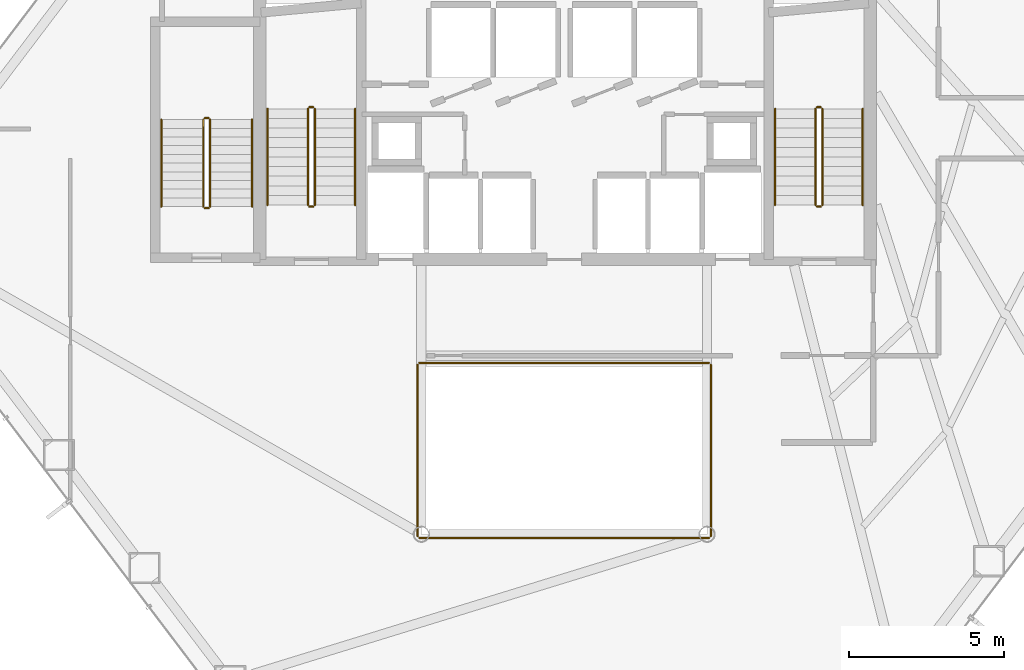
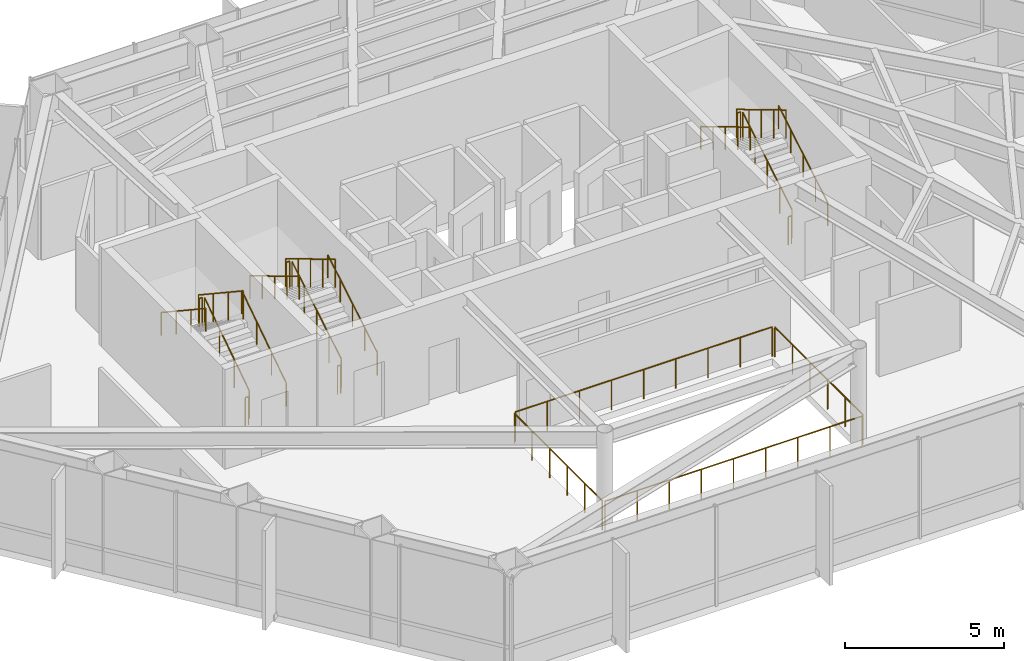
# One storey, part 25 of 25: 22 railings.
"""IFC4 building model written with IfcOpenShell, lengths in metres."""

import ifcopenshell
import ifcopenshell.guid

model = None  # the IFC model being written
_history = None  # IfcOwnerHistory: only IFC2X3 demands one
_inside = {}  # id of a spatial element -> (the spatial element, [elements in it])
_under = {}  # id of a project, library or spatial element -> (it, [spatial elements below it])
_declared = {}  # id of a project -> (the project, [libraries it declares])
_typed = {}  # id of a type object -> (the type object, [elements of that type])
_made_of = {}  # id of a material, layer set ... -> (it, [elements and type objects made of it])


def new_model(schema):
    """Start an empty IFC model of exactly this schema.

    Asked for "IFC4X3", IfcOpenShell would pick the latest addendum, in which some entities
    have other attributes; the version numbers below select the first issue.
    IFC2X3 requires an IfcOwnerHistory on every rooted entity: one is made here for all.
    """
    global model, _history
    if schema == "IFC4X3":
        model = ifcopenshell.file(schema_version=(4, 3, 0, 0))
    else:
        model = ifcopenshell.file(schema=schema)
    _inside.clear()
    _under.clear()
    _declared.clear()
    _typed.clear()
    _made_of.clear()
    _history = None
    if model.schema == "IFC2X3":
        org = make("IfcOrganization", Name="unknown")
        user = make(
            "IfcPersonAndOrganization",
            ThePerson=make("IfcPerson", FamilyName="unknown"),
            TheOrganization=org,
        )
        app = make(
            "IfcApplication",
            ApplicationDeveloper=org,
            Version="unknown",
            ApplicationFullName="unknown",
            ApplicationIdentifier="unknown",
        )
        _history = make(
            "IfcOwnerHistory",
            OwningUser=user,
            OwningApplication=app,
            ChangeAction="ADDED",
            CreationDate=0,
        )
    return model


def make(cls, **values):
    """One entity of the class cls with the attributes given. An attribute that is None is left unset."""
    return model.create_entity(
        cls, **{name: value for name, value in values.items() if value is not None}
    )


def rooted(cls, **values):
    """An entity with a GlobalId (a new one), such as an element, a storey or a relation."""
    return make(cls, GlobalId=ifcopenshell.guid.new(), OwnerHistory=_history, **values)


def si_unit(unit_type, name, prefix=None):
    """IfcSIUnit, for example si_unit("LENGTHUNIT", "METRE", prefix="MILLI")."""
    return make("IfcSIUnit", UnitType=unit_type, Prefix=prefix, Name=name)


def assignment(units):
    """IfcUnitAssignment: the units of a project."""
    return None if units is None else make("IfcUnitAssignment", Units=units)


def point(xyz):
    """IfcCartesianPoint."""
    return None if xyz is None else make("IfcCartesianPoint", Coordinates=xyz)


def direction(xyz):
    """IfcDirection."""
    return None if xyz is None else make("IfcDirection", DirectionRatios=xyz)


def frame(location, z_axis=None, x_axis=None):
    """IfcAxis2Placement3D, a coordinate frame: its origin and axes. An axis left out is left unset."""
    return make(
        "IfcAxis2Placement3D",
        Location=point(location),
        Axis=direction(z_axis),
        RefDirection=direction(x_axis),
    )


def frame_2d(location, x_axis=None):
    """IfcAxis2Placement2D, a coordinate frame in the plane: its origin and x axis."""
    return make(
        "IfcAxis2Placement2D", Location=point(location), RefDirection=direction(x_axis)
    )


def origin():
    """The frame at (0, 0, 0) with its axes left unset."""
    return frame((0.0, 0.0, 0.0))


def origin_2d():
    """The frame at (0, 0) in the plane with its x axis left unset."""
    return frame_2d((0.0, 0.0))


def place(relative_to, where):
    """IfcLocalPlacement: puts the frame where relative to a parent placement (None: the world)."""
    return make(
        "IfcLocalPlacement", PlacementRelTo=relative_to, RelativePlacement=where
    )


def context(
    kind, dimensions, precision=None, world=None, true_north=None, identifier=None
):
    """IfcGeometricRepresentationContext, for example the 3D "Model" context."""
    return make(
        "IfcGeometricRepresentationContext",
        ContextIdentifier=identifier,
        ContextType=kind,
        CoordinateSpaceDimension=dimensions,
        Precision=precision,
        WorldCoordinateSystem=world,
        TrueNorth=true_north,
    )


def subcontext(parent, identifier, kind, view, scale=None):
    """IfcGeometricRepresentationSubContext, for example "Body" below "Model"."""
    return make(
        "IfcGeometricRepresentationSubContext",
        ContextIdentifier=identifier,
        ContextType=kind,
        ParentContext=parent,
        TargetScale=scale,
        TargetView=view,
    )


def project(units=None, contexts=None):
    """IfcProject with its units and contexts."""
    return rooted(
        "IfcProject",
        Name="project",
        RepresentationContexts=contexts,
        UnitsInContext=assignment(units),
    )


def spatial(cls, under=None, at=None, **own):
    """A site, building, storey or space (cls), placed at a placement, below another one or the project."""
    s = rooted(cls, ObjectPlacement=at, **own)
    if under is not None:
        _under.setdefault(under.id(), (under, []))[1].append(s)
    return s


def profile(cls, at=None, kind="AREA", **sizes):
    """A parametric profile (cls). Its sizes go by their IFC names, for example OverallWidth=200.0."""
    return make(cls, ProfileType=kind, Position=at, **sizes)


def circle(**sizes):
    """IfcCircleProfileDef."""
    return profile("IfcCircleProfileDef", **sizes)


def extrude(swept, where, along, depth):
    """IfcExtrudedAreaSolid: the profile swept, set in the frame where, extruded along a direction by depth."""
    return make(
        "IfcExtrudedAreaSolid",
        SweptArea=swept,
        Position=where,
        ExtrudedDirection=direction(along),
        Depth=depth,
    )


def shape(context_of_items, identifier, shape_type, items):
    """IfcShapeRepresentation: the items that make up one representation, for example the "Body"."""
    return make(
        "IfcShapeRepresentation",
        ContextOfItems=context_of_items,
        RepresentationIdentifier=identifier,
        RepresentationType=shape_type,
        Items=items,
    )


def material(Name=None, Category=None):
    """IfcMaterial."""
    return make("IfcMaterial", Name=Name, Category=Category)


def made_of(thing, what):
    """Note that an element or type object is made of a material, layer set ...; save() writes the relation."""
    if what is not None:
        _made_of.setdefault(what.id(), (what, []))[1].append(thing)
    return thing


def type_object(cls, material=None, **own):
    """A type object (cls), such as IfcWallType, which elements share."""
    return made_of(rooted(cls, **own), material)


def element(
    cls,
    number,
    at=None,
    inside=None,
    cuts=None,
    type_object=None,
    material=None,
    context=None,
    identifier="Body",
    shape_type=None,
    held_by="IfcProductDefinitionShape",
    body=None,
    shapes=None,
    **own,
):
    """One element of the class cls, such as IfcWall. Its Tag is "e" and its number.

    at: its placement. inside: the storey or other place that contains it. cuts: it is an
    opening in that element (IfcRelVoidsElement). A single representation is given by context,
    identifier, shape_type and body (its items); several are given by shapes. held_by: the class
    of the entity that holds the representations. save() writes the other relations.
    """
    e = rooted(cls, Tag="e%d" % number, ObjectPlacement=at, **own)
    if body is not None:
        shapes = [shape(context, identifier, shape_type, body)]
    if shapes is not None:
        e.Representation = make(held_by, Representations=shapes)
    if inside is not None:
        _inside.setdefault(inside.id(), (inside, []))[1].append(e)
    if cuts is not None:
        rooted(
            "IfcRelVoidsElement", RelatingBuildingElement=cuts, RelatedOpeningElement=e
        )
    if type_object is not None:
        _typed.setdefault(type_object.id(), (type_object, []))[1].append(e)
    return made_of(e, material)


def aggregate(whole, parts):
    """IfcRelAggregates: a whole, such as a stair, and the parts it consists of."""
    return rooted("IfcRelAggregates", RelatingObject=whole, RelatedObjects=parts)


def save(model, path):
    """Write the relations noted so far, then the file.

    IfcRelAggregates (storeys below a building ...), IfcRelContainedInSpatialStructure (elements
    in a storey), IfcRelDefinesByType, IfcRelAssociatesMaterial and IfcRelDeclares: one each for
    every whole, place, type object, material and project.
    """
    for whole, parts in _under.values():
        aggregate(whole, parts)
    for where, things in _inside.values():
        rooted(
            "IfcRelContainedInSpatialStructure",
            RelatedElements=things,
            RelatingStructure=where,
        )
    for kind, things in _typed.values():
        rooted("IfcRelDefinesByType", RelatedObjects=things, RelatingType=kind)
    for what, things in _made_of.values():
        rooted("IfcRelAssociatesMaterial", RelatedObjects=things, RelatingMaterial=what)
    for by, libraries in _declared.values():
        rooted("IfcRelDeclares", RelatingContext=by, RelatedDefinitions=libraries)
    model.write(path)


model = new_model("IFC4")

# Units and contexts
model_context = context("Model", 3, precision=1e-05, world=origin(), true_north=direction((0.0, 1.0)))
body_context = subcontext(model_context, "Body", "Model", "MODEL_VIEW")
ifc_project = project(units=[si_unit("LENGTHUNIT", "METRE"), si_unit("AREAUNIT", "SQUARE_METRE"), si_unit("VOLUMEUNIT", "CUBIC_METRE"), si_unit("PLANEANGLEUNIT", "RADIAN"), si_unit("MASSUNIT", "GRAM", prefix="KILO")], contexts=[model_context])

# Site, building, storey
site_placement = place(None, origin())
site = spatial("IfcSite", under=ifc_project, at=site_placement, CompositionType="ELEMENT")
building_placement = place(site_placement, origin())
building = spatial("IfcBuilding", under=site, at=building_placement, Name="Zarrinselat Tower", CompositionType="ELEMENT")
storey_placement = place(building_placement, frame((0.0, 0.0, 43.860107421875)))
storey = spatial("IfcBuildingStorey", under=building, at=storey_placement, Name="L10", CompositionType="ELEMENT", Elevation=43.860107421875)

# Railings
ifc_material_1 = material(Name="Double Low-E Laminated Solar Glass", Category="glass")
railing_type_1 = type_object("IfcRailingType", Name="RLG-ATRIUM-BAL", PredefinedType="BALUSTRADE", material=ifc_material_1)
railing_1_placement = place(storey_placement, frame((33.739990234375, 24.280029296875, 0.0)))
element("IfcRailing", 1, at=railing_1_placement, inside=storey, type_object=railing_type_1, Name="L10 Atrium Void Glass Balustrade S", PredefinedType="BALUSTRADE", context=body_context, shape_type="SweptSolid", body=[
    extrude(circle(Radius=0.02392578125, at=origin_2d()), frame((0.0, 0.0, 1.1259765625), z_axis=(1.0, 0.0, 0.0), x_axis=(0.0, 1.0, 0.0)), (0.0, 0.0, 1.0), 9.320068359375),
    extrude(circle(Radius=0.02099609375, at=origin_2d()), origin(), (0.0, 0.0, 1.0), 1.099853515625),
    extrude(circle(Radius=0.02099609375, at=origin_2d()), frame((1.1650390625, 0.0, 0.0)), (0.0, 0.0, 1.0), 1.099853515625),
    extrude(circle(Radius=0.02099609375, at=origin_2d()), frame((2.330078125, 0.0, 0.0)), (0.0, 0.0, 1.0), 1.099853515625),
    extrude(circle(Radius=0.02099609375, at=origin_2d()), frame((3.4951171875, 0.0, 0.0)), (0.0, 0.0, 1.0), 1.099853515625),
    extrude(circle(Radius=0.02099609375, at=origin_2d()), frame((4.66015625, 0.0, 0.0)), (0.0, 0.0, 1.0), 1.099853515625),
    extrude(circle(Radius=0.02099609375, at=origin_2d()), frame((5.824951171875, 0.0, 0.0)), (0.0, 0.0, 1.0), 1.099853515625),
    extrude(circle(Radius=0.02099609375, at=origin_2d()), frame((6.989990234375, 0.0, 0.0)), (0.0, 0.0, 1.0), 1.099853515625),
    extrude(circle(Radius=0.02099609375, at=origin_2d()), frame((8.155029296875, 0.0, 0.0)), (0.0, 0.0, 1.0), 1.099853515625),
    extrude(circle(Radius=0.02099609375, at=origin_2d()), frame((9.320068359375, 0.0, 0.0)), (0.0, 0.0, 1.0), 1.099853515625),
])
railing_2_placement = place(storey_placement, frame((43.1201171875, 24.340087890625, 0.0)))
element("IfcRailing", 2, at=railing_2_placement, inside=storey, type_object=railing_type_1, Name="L10 Atrium Void Glass Balustrade E", PredefinedType="BALUSTRADE", context=body_context, shape_type="SweptSolid", body=[
    extrude(circle(Radius=0.02392578125, at=origin_2d()), frame((0.0, 0.0, 1.1259765625), z_axis=(0.0, 1.0, 0.0), x_axis=(-1.0, 0.0, 0.0)), (0.0, 0.0, 1.0), 5.52001953125),
    extrude(circle(Radius=0.02099609375, at=origin_2d()), origin(), (0.0, 0.0, 1.0), 1.099853515625),
    extrude(circle(Radius=0.02099609375, at=origin_2d()), frame((0.0, 1.10400390625, 0.0)), (0.0, 0.0, 1.0), 1.099853515625),
    extrude(circle(Radius=0.02099609375, at=origin_2d()), frame((0.0, 2.2080078125, 0.0)), (0.0, 0.0, 1.0), 1.099853515625),
    extrude(circle(Radius=0.02099609375, at=origin_2d()), frame((0.0, 3.31201171875, 0.0)), (0.0, 0.0, 1.0), 1.099853515625),
    extrude(circle(Radius=0.02099609375, at=origin_2d()), frame((0.0, 4.416015625, 0.0)), (0.0, 0.0, 1.0), 1.099853515625),
    extrude(circle(Radius=0.02099609375, at=origin_2d()), frame((0.0, 5.52001953125, 0.0)), (0.0, 0.0, 1.0), 1.099853515625),
])
railing_3_placement = place(storey_placement, frame((43.06005859375, 29.919921875, 0.0)))
element("IfcRailing", 3, at=railing_3_placement, inside=storey, type_object=railing_type_1, Name="L10 Atrium Void Glass Balustrade N", PredefinedType="BALUSTRADE", context=body_context, shape_type="SweptSolid", body=[
    extrude(circle(Radius=0.02392578125, at=origin_2d()), frame((0.0, 0.0, 1.1259765625), z_axis=(-1.0, 0.0, 0.0), x_axis=(0.0, -1.0, 0.0)), (0.0, 0.0, 1.0), 9.320068359375),
    extrude(circle(Radius=0.02099609375, at=origin_2d()), origin(), (0.0, 0.0, 1.0), 1.099853515625),
    extrude(circle(Radius=0.02099609375, at=origin_2d()), frame((-1.1650390625, 0.0, 0.0)), (0.0, 0.0, 1.0), 1.099853515625),
    extrude(circle(Radius=0.02099609375, at=origin_2d()), frame((-2.330078125, 0.0, 0.0)), (0.0, 0.0, 1.0), 1.099853515625),
    extrude(circle(Radius=0.02099609375, at=origin_2d()), frame((-3.4951171875, 0.0, 0.0)), (0.0, 0.0, 1.0), 1.099853515625),
    extrude(circle(Radius=0.02099609375, at=origin_2d()), frame((-4.66015625, 0.0, 0.0)), (0.0, 0.0, 1.0), 1.099853515625),
    extrude(circle(Radius=0.02099609375, at=origin_2d()), frame((-5.824951171875, 0.0, 0.0)), (0.0, 0.0, 1.0), 1.099853515625),
    extrude(circle(Radius=0.02099609375, at=origin_2d()), frame((-6.989990234375, 0.0, 0.0)), (0.0, 0.0, 1.0), 1.099853515625),
    extrude(circle(Radius=0.02099609375, at=origin_2d()), frame((-8.155029296875, 0.0, 0.0)), (0.0, 0.0, 1.0), 1.099853515625),
    extrude(circle(Radius=0.02099609375, at=origin_2d()), frame((-9.320068359375, 0.0, 0.0)), (0.0, 0.0, 1.0), 1.099853515625),
])
railing_4_placement = place(storey_placement, frame((33.679931640625, 29.860107421875, 0.0)))
element("IfcRailing", 4, at=railing_4_placement, inside=storey, type_object=railing_type_1, Name="L10 Atrium Void Glass Balustrade W", PredefinedType="BALUSTRADE", context=body_context, shape_type="SweptSolid", body=[
    extrude(circle(Radius=0.02392578125, at=origin_2d()), frame((0.0, 0.0, 1.1259765625), z_axis=(0.0, -1.0, 0.0), x_axis=(1.0, 0.0, 0.0)), (0.0, 0.0, 1.0), 5.52001953125),
    extrude(circle(Radius=0.02099609375, at=origin_2d()), origin(), (0.0, 0.0, 1.0), 1.099853515625),
    extrude(circle(Radius=0.02099609375, at=origin_2d()), frame((0.0, -1.10400390625, 0.0)), (0.0, 0.0, 1.0), 1.099853515625),
    extrude(circle(Radius=0.02099609375, at=origin_2d()), frame((0.0, -2.2080078125, 0.0)), (0.0, 0.0, 1.0), 1.099853515625),
    extrude(circle(Radius=0.02099609375, at=origin_2d()), frame((0.0, -3.31201171875, 0.0)), (0.0, 0.0, 1.0), 1.099853515625),
    extrude(circle(Radius=0.02099609375, at=origin_2d()), frame((0.0, -4.416015625, 0.0)), (0.0, 0.0, 1.0), 1.099853515625),
    extrude(circle(Radius=0.02099609375, at=origin_2d()), frame((0.0, -5.52001953125, 0.0)), (0.0, 0.0, 1.0), 1.099853515625),
])
ifc_material_2 = material(Name="Steel S355J2", Category="steel")
railing_type_2 = type_object("IfcRailingType", Name="RLG-STAIR-GUARD", PredefinedType="GUARDRAIL", material=ifc_material_2)
railing_5_placement = place(storey_placement, frame((30.3701171875, 35.0, 0.185302734375)))
element("IfcRailing", 5, at=railing_5_placement, inside=storey, type_object=railing_type_2, Name="L10 ST-1 stair guard 1", PredefinedType="GUARDRAIL", context=body_context, shape_type="SweptSolid", body=[
    extrude(circle(Radius=0.02392578125, at=origin_2d()), frame((0.0, 0.0, 1.076171875), z_axis=(0.0, 0.858171985069, 0.513362293163), x_axis=(-1.0, 0.0, 0.0)), (0.0, 0.0, 1.0), 3.612548828125),
    extrude(circle(Radius=0.02099609375, at=origin_2d()), origin(), (0.0, 0.0, 1.0), 1.050048828125),
    extrude(circle(Radius=0.02099609375, at=origin_2d()), frame((0.0, 0.77490234375, 0.463623046875)), (0.0, 0.0, 1.0), 1.050048828125),
    extrude(circle(Radius=0.02099609375, at=origin_2d()), frame((0.0, 1.550048828125, 0.92724609375)), (0.0, 0.0, 1.0), 1.050048828125),
    extrude(circle(Radius=0.02099609375, at=origin_2d()), frame((0.0, 2.3251953125, 1.390869140625)), (0.0, 0.0, 1.0), 1.050048828125),
    extrude(circle(Radius=0.02099609375, at=origin_2d()), frame((0.0, 3.10009765625, 1.8544921875)), (0.0, 0.0, 1.0), 1.050048828125),
])
railing_6_placement = place(storey_placement, frame((30.320068359375, 38.14990234375, 2.039794921875)))
element("IfcRailing", 6, at=railing_6_placement, inside=storey, type_object=railing_type_2, Name="L10 ST-1 stair guard 2", PredefinedType="GUARDRAIL", context=body_context, shape_type="SweptSolid", body=[
    extrude(circle(Radius=0.02392578125, at=origin_2d()), frame((0.0, 0.0, 1.076171875), z_axis=(-1.0, 0.0, 0.0), x_axis=(0.0, -1.0, 0.0)), (0.0, 0.0, 1.0), 0.1201171875),
    extrude(circle(Radius=0.02099609375, at=origin_2d()), origin(), (0.0, 0.0, 1.0), 1.050048828125),
    extrude(circle(Radius=0.02099609375, at=origin_2d()), frame((-0.1201171875, 0.0, 0.0)), (0.0, 0.0, 1.0), 1.050048828125),
])
railing_7_placement = place(storey_placement, frame((30.14990234375, 38.10009765625, 2.225341796875)))
element("IfcRailing", 7, at=railing_7_placement, inside=storey, type_object=railing_type_2, Name="L10 ST-1 stair guard 3", PredefinedType="GUARDRAIL", context=body_context, shape_type="SweptSolid", body=[
    extrude(circle(Radius=0.02392578125, at=origin_2d()), frame((0.0, 0.0, 1.076171875), z_axis=(0.0, -0.858171985069, 0.513362293163), x_axis=(1.0, 0.0, 0.0)), (0.0, 0.0, 1.0), 3.612548828125),
    extrude(circle(Radius=0.02099609375, at=origin_2d()), origin(), (0.0, 0.0, 1.0), 1.050048828125),
    extrude(circle(Radius=0.02099609375, at=origin_2d()), frame((0.0, -0.77490234375, 0.463623046875)), (0.0, 0.0, 1.0), 1.050048828125),
    extrude(circle(Radius=0.02099609375, at=origin_2d()), frame((0.0, -1.550048828125, 0.92724609375)), (0.0, 0.0, 1.0), 1.050048828125),
    extrude(circle(Radius=0.02099609375, at=origin_2d()), frame((0.0, -2.3251953125, 1.390869140625)), (0.0, 0.0, 1.0), 1.050048828125),
    extrude(circle(Radius=0.02099609375, at=origin_2d()), frame((0.0, -3.10009765625, 1.8544921875)), (0.0, 0.0, 1.0), 1.050048828125),
])
railing_8_placement = place(storey_placement, frame((30.320068359375, 34.949951171875, 0.0)))
element("IfcRailing", 8, at=railing_8_placement, inside=storey, type_object=railing_type_2, Name="L10 ST-1 stair guard 4", PredefinedType="GUARDRAIL", context=body_context, shape_type="SweptSolid", body=[
    extrude(circle(Radius=0.02392578125, at=origin_2d()), frame((0.0, 0.0, 1.076171875), z_axis=(-1.0, 0.0, 0.0), x_axis=(0.0, -1.0, 0.0)), (0.0, 0.0, 1.0), 0.1201171875),
    extrude(circle(Radius=0.02099609375, at=origin_2d()), origin(), (0.0, 0.0, 1.0), 1.050048828125),
    extrude(circle(Radius=0.02099609375, at=origin_2d()), frame((-0.1201171875, 0.0, 0.0)), (0.0, 0.0, 1.0), 1.050048828125),
])
railing_9_placement = place(storey_placement, frame((46.7099609375, 35.0, 0.185302734375)))
element("IfcRailing", 9, at=railing_9_placement, inside=storey, type_object=railing_type_2, Name="L10 ST-2 stair guard 1", PredefinedType="GUARDRAIL", context=body_context, shape_type="SweptSolid", body=[
    extrude(circle(Radius=0.02392578125, at=origin_2d()), frame((0.0, 0.0, 1.076171875), z_axis=(0.0, 0.858171985069, 0.513362293163), x_axis=(-1.0, 0.0, 0.0)), (0.0, 0.0, 1.0), 3.612548828125),
    extrude(circle(Radius=0.02099609375, at=origin_2d()), origin(), (0.0, 0.0, 1.0), 1.050048828125),
    extrude(circle(Radius=0.02099609375, at=origin_2d()), frame((0.0, 0.77490234375, 0.463623046875)), (0.0, 0.0, 1.0), 1.050048828125),
    extrude(circle(Radius=0.02099609375, at=origin_2d()), frame((0.0, 1.550048828125, 0.92724609375)), (0.0, 0.0, 1.0), 1.050048828125),
    extrude(circle(Radius=0.02099609375, at=origin_2d()), frame((0.0, 2.3251953125, 1.390869140625)), (0.0, 0.0, 1.0), 1.050048828125),
    extrude(circle(Radius=0.02099609375, at=origin_2d()), frame((0.0, 3.10009765625, 1.8544921875)), (0.0, 0.0, 1.0), 1.050048828125),
])
railing_10_placement = place(storey_placement, frame((46.659912109375, 38.14990234375, 2.039794921875)))
element("IfcRailing", 10, at=railing_10_placement, inside=storey, type_object=railing_type_2, Name="L10 ST-2 stair guard 2", PredefinedType="GUARDRAIL", context=body_context, shape_type="SweptSolid", body=[
    extrude(circle(Radius=0.02392578125, at=origin_2d()), frame((0.0, 0.0, 1.076171875), z_axis=(-1.0, 0.0, 0.0), x_axis=(0.0, -1.0, 0.0)), (0.0, 0.0, 1.0), 0.119873046875),
    extrude(circle(Radius=0.02099609375, at=origin_2d()), origin(), (0.0, 0.0, 1.0), 1.050048828125),
    extrude(circle(Radius=0.02099609375, at=origin_2d()), frame((-0.119873046875, 0.0, 0.0)), (0.0, 0.0, 1.0), 1.050048828125),
])
railing_11_placement = place(storey_placement, frame((46.489990234375, 38.10009765625, 2.225341796875)))
element("IfcRailing", 11, at=railing_11_placement, inside=storey, type_object=railing_type_2, Name="L10 ST-2 stair guard 3", PredefinedType="GUARDRAIL", context=body_context, shape_type="SweptSolid", body=[
    extrude(circle(Radius=0.02392578125, at=origin_2d()), frame((0.0, 0.0, 1.076171875), z_axis=(0.0, -0.858171985069, 0.513362293163), x_axis=(1.0, 0.0, 0.0)), (0.0, 0.0, 1.0), 3.612548828125),
    extrude(circle(Radius=0.02099609375, at=origin_2d()), origin(), (0.0, 0.0, 1.0), 1.050048828125),
    extrude(circle(Radius=0.02099609375, at=origin_2d()), frame((0.0, -0.77490234375, 0.463623046875)), (0.0, 0.0, 1.0), 1.050048828125),
    extrude(circle(Radius=0.02099609375, at=origin_2d()), frame((0.0, -1.550048828125, 0.92724609375)), (0.0, 0.0, 1.0), 1.050048828125),
    extrude(circle(Radius=0.02099609375, at=origin_2d()), frame((0.0, -2.3251953125, 1.390869140625)), (0.0, 0.0, 1.0), 1.050048828125),
    extrude(circle(Radius=0.02099609375, at=origin_2d()), frame((0.0, -3.10009765625, 1.8544921875)), (0.0, 0.0, 1.0), 1.050048828125),
])
railing_12_placement = place(storey_placement, frame((46.659912109375, 34.949951171875, 0.0)))
element("IfcRailing", 12, at=railing_12_placement, inside=storey, type_object=railing_type_2, Name="L10 ST-2 stair guard 4", PredefinedType="GUARDRAIL", context=body_context, shape_type="SweptSolid", body=[
    extrude(circle(Radius=0.02392578125, at=origin_2d()), frame((0.0, 0.0, 1.076171875), z_axis=(-1.0, 0.0, 0.0), x_axis=(0.0, -1.0, 0.0)), (0.0, 0.0, 1.0), 0.119873046875),
    extrude(circle(Radius=0.02099609375, at=origin_2d()), origin(), (0.0, 0.0, 1.0), 1.050048828125),
    extrude(circle(Radius=0.02099609375, at=origin_2d()), frame((-0.119873046875, 0.0, 0.0)), (0.0, 0.0, 1.0), 1.050048828125),
])
railing_13_placement = place(storey_placement, frame((27.0, 34.949951171875, 0.185302734375)))
element("IfcRailing", 13, at=railing_13_placement, inside=storey, type_object=railing_type_2, Name="L10 ST-3 stair guard 1", PredefinedType="GUARDRAIL", context=body_context, shape_type="SweptSolid", body=[
    extrude(circle(Radius=0.02392578125, at=origin_2d()), frame((0.0, 0.0, 1.076171875), z_axis=(0.0, 0.833724036255, 0.552181339209), x_axis=(-1.0, 0.0, 0.0)), (0.0, 0.0, 1.0), 3.3583984375),
    extrude(circle(Radius=0.02099609375, at=origin_2d()), origin(), (0.0, 0.0, 1.0), 1.050048828125),
    extrude(circle(Radius=0.02099609375, at=origin_2d()), frame((0.0, 0.933349609375, 0.6181640625)), (0.0, 0.0, 1.0), 1.050048828125),
    extrude(circle(Radius=0.02099609375, at=origin_2d()), frame((0.0, 1.86669921875, 1.236328125)), (0.0, 0.0, 1.0), 1.050048828125),
    extrude(circle(Radius=0.02099609375, at=origin_2d()), frame((0.0, 2.800048828125, 1.8544921875)), (0.0, 0.0, 1.0), 1.050048828125),
])
railing_14_placement = place(storey_placement, frame((26.949951171875, 37.800048828125, 2.039794921875)))
element("IfcRailing", 14, at=railing_14_placement, inside=storey, type_object=railing_type_2, Name="L10 ST-3 stair guard 2", PredefinedType="GUARDRAIL", context=body_context, shape_type="SweptSolid", body=[
    extrude(circle(Radius=0.02392578125, at=origin_2d()), frame((0.0, 0.0, 1.076171875), z_axis=(-1.0, 0.0, 0.0), x_axis=(0.0, -1.0, 0.0)), (0.0, 0.0, 1.0), 0.119873046875),
    extrude(circle(Radius=0.02099609375, at=origin_2d()), origin(), (0.0, 0.0, 1.0), 1.050048828125),
    extrude(circle(Radius=0.02099609375, at=origin_2d()), frame((-0.119873046875, 0.0, 0.0)), (0.0, 0.0, 1.0), 1.050048828125),
])
railing_15_placement = place(storey_placement, frame((26.780029296875, 37.75, 2.225341796875)))
element("IfcRailing", 15, at=railing_15_placement, inside=storey, type_object=railing_type_2, Name="L10 ST-3 stair guard 3", PredefinedType="GUARDRAIL", context=body_context, shape_type="SweptSolid", body=[
    extrude(circle(Radius=0.02392578125, at=origin_2d()), frame((0.0, 0.0, 1.076171875), z_axis=(0.0, -0.833724036255, 0.552181339209), x_axis=(1.0, 0.0, 0.0)), (0.0, 0.0, 1.0), 3.3583984375),
    extrude(circle(Radius=0.02099609375, at=origin_2d()), origin(), (0.0, 0.0, 1.0), 1.050048828125),
    extrude(circle(Radius=0.02099609375, at=origin_2d()), frame((0.0, -0.933349609375, 0.6181640625)), (0.0, 0.0, 1.0), 1.050048828125),
    extrude(circle(Radius=0.02099609375, at=origin_2d()), frame((0.0, -1.86669921875, 1.236328125)), (0.0, 0.0, 1.0), 1.050048828125),
    extrude(circle(Radius=0.02099609375, at=origin_2d()), frame((0.0, -2.800048828125, 1.8544921875)), (0.0, 0.0, 1.0), 1.050048828125),
])
railing_16_placement = place(storey_placement, frame((26.949951171875, 34.89990234375, 0.0)))
element("IfcRailing", 16, at=railing_16_placement, inside=storey, type_object=railing_type_2, Name="L10 ST-3 stair guard 4", PredefinedType="GUARDRAIL", context=body_context, shape_type="SweptSolid", body=[
    extrude(circle(Radius=0.02392578125, at=origin_2d()), frame((0.0, 0.0, 1.076171875), z_axis=(-1.0, 0.0, 0.0), x_axis=(0.0, -1.0, 0.0)), (0.0, 0.0, 1.0), 0.119873046875),
    extrude(circle(Radius=0.02099609375, at=origin_2d()), origin(), (0.0, 0.0, 1.0), 1.050048828125),
    extrude(circle(Radius=0.02099609375, at=origin_2d()), frame((-0.119873046875, 0.0, 0.0)), (0.0, 0.0, 1.0), 1.050048828125),
])
ifc_material_3 = material(Name="Steel S355J2", Category="steel")
railing_type_3 = type_object("IfcRailingType", Name="RLG-STAIR-HAND", PredefinedType="HANDRAIL", material=ifc_material_3)
railing_17_placement = place(storey_placement, frame((31.669921875, 35.0, 0.185302734375)))
element("IfcRailing", 17, at=railing_17_placement, inside=storey, type_object=railing_type_3, Name="L10 ST-1 stair handrail 1", PredefinedType="HANDRAIL", context=body_context, shape_type="SweptSolid", body=[
    extrude(circle(Radius=0.02392578125, at=origin_2d()), frame((0.0, 0.0, 0.8759765625), z_axis=(0.0, 0.858171985069, 0.513362293163), x_axis=(-1.0, 0.0, 0.0)), (0.0, 0.0, 1.0), 3.612548828125),
    extrude(circle(Radius=0.02099609375, at=origin_2d()), origin(), (0.0, 0.0, 1.0), 0.849853515625),
    extrude(circle(Radius=0.02099609375, at=origin_2d()), frame((0.0, 0.77490234375, 0.463623046875)), (0.0, 0.0, 1.0), 0.849853515625),
    extrude(circle(Radius=0.02099609375, at=origin_2d()), frame((0.0, 1.550048828125, 0.92724609375)), (0.0, 0.0, 1.0), 0.849853515625),
    extrude(circle(Radius=0.02099609375, at=origin_2d()), frame((0.0, 2.3251953125, 1.390869140625)), (0.0, 0.0, 1.0), 0.849853515625),
    extrude(circle(Radius=0.02099609375, at=origin_2d()), frame((0.0, 3.10009765625, 1.8544921875)), (0.0, 0.0, 1.0), 0.849853515625),
])
railing_18_placement = place(storey_placement, frame((28.85009765625, 38.10009765625, 2.225341796875)))
element("IfcRailing", 18, at=railing_18_placement, inside=storey, type_object=railing_type_3, Name="L10 ST-1 stair handrail 2", PredefinedType="HANDRAIL", context=body_context, shape_type="SweptSolid", body=[
    extrude(circle(Radius=0.02392578125, at=origin_2d()), frame((0.0, 0.0, 0.8759765625), z_axis=(0.0, -0.858171985069, 0.513362293163), x_axis=(1.0, 0.0, 0.0)), (0.0, 0.0, 1.0), 3.612548828125),
    extrude(circle(Radius=0.02099609375, at=origin_2d()), origin(), (0.0, 0.0, 1.0), 0.849853515625),
    extrude(circle(Radius=0.02099609375, at=origin_2d()), frame((0.0, -0.77490234375, 0.463623046875)), (0.0, 0.0, 1.0), 0.849853515625),
    extrude(circle(Radius=0.02099609375, at=origin_2d()), frame((0.0, -1.550048828125, 0.92724609375)), (0.0, 0.0, 1.0), 0.849853515625),
    extrude(circle(Radius=0.02099609375, at=origin_2d()), frame((0.0, -2.3251953125, 1.390869140625)), (0.0, 0.0, 1.0), 0.849853515625),
    extrude(circle(Radius=0.02099609375, at=origin_2d()), frame((0.0, -3.10009765625, 1.8544921875)), (0.0, 0.0, 1.0), 0.849853515625),
])
railing_19_placement = place(storey_placement, frame((48.010009765625, 35.0, 0.185302734375)))
element("IfcRailing", 19, at=railing_19_placement, inside=storey, type_object=railing_type_3, Name="L10 ST-2 stair handrail 1", PredefinedType="HANDRAIL", context=body_context, shape_type="SweptSolid", body=[
    extrude(circle(Radius=0.02392578125, at=origin_2d()), frame((0.0, 0.0, 0.8759765625), z_axis=(0.0, 0.858171985069, 0.513362293163), x_axis=(-1.0, 0.0, 0.0)), (0.0, 0.0, 1.0), 3.612548828125),
    extrude(circle(Radius=0.02099609375, at=origin_2d()), origin(), (0.0, 0.0, 1.0), 0.849853515625),
    extrude(circle(Radius=0.02099609375, at=origin_2d()), frame((0.0, 0.77490234375, 0.463623046875)), (0.0, 0.0, 1.0), 0.849853515625),
    extrude(circle(Radius=0.02099609375, at=origin_2d()), frame((0.0, 1.550048828125, 0.92724609375)), (0.0, 0.0, 1.0), 0.849853515625),
    extrude(circle(Radius=0.02099609375, at=origin_2d()), frame((0.0, 2.3251953125, 1.390869140625)), (0.0, 0.0, 1.0), 0.849853515625),
    extrude(circle(Radius=0.02099609375, at=origin_2d()), frame((0.0, 3.10009765625, 1.8544921875)), (0.0, 0.0, 1.0), 0.849853515625),
])
railing_20_placement = place(storey_placement, frame((45.18994140625, 38.10009765625, 2.225341796875)))
element("IfcRailing", 20, at=railing_20_placement, inside=storey, type_object=railing_type_3, Name="L10 ST-2 stair handrail 2", PredefinedType="HANDRAIL", context=body_context, shape_type="SweptSolid", body=[
    extrude(circle(Radius=0.02392578125, at=origin_2d()), frame((0.0, 0.0, 0.8759765625), z_axis=(0.0, -0.858171985069, 0.513362293163), x_axis=(1.0, 0.0, 0.0)), (0.0, 0.0, 1.0), 3.612548828125),
    extrude(circle(Radius=0.02099609375, at=origin_2d()), origin(), (0.0, 0.0, 1.0), 0.849853515625),
    extrude(circle(Radius=0.02099609375, at=origin_2d()), frame((0.0, -0.77490234375, 0.463623046875)), (0.0, 0.0, 1.0), 0.849853515625),
    extrude(circle(Radius=0.02099609375, at=origin_2d()), frame((0.0, -1.550048828125, 0.92724609375)), (0.0, 0.0, 1.0), 0.849853515625),
    extrude(circle(Radius=0.02099609375, at=origin_2d()), frame((0.0, -2.3251953125, 1.390869140625)), (0.0, 0.0, 1.0), 0.849853515625),
    extrude(circle(Radius=0.02099609375, at=origin_2d()), frame((0.0, -3.10009765625, 1.8544921875)), (0.0, 0.0, 1.0), 0.849853515625),
])
railing_21_placement = place(storey_placement, frame((28.35009765625, 34.949951171875, 0.185302734375)))
element("IfcRailing", 21, at=railing_21_placement, inside=storey, type_object=railing_type_3, Name="L10 ST-3 stair handrail 1", PredefinedType="HANDRAIL", context=body_context, shape_type="SweptSolid", body=[
    extrude(circle(Radius=0.02392578125, at=origin_2d()), frame((0.0, 0.0, 0.8759765625), z_axis=(0.0, 0.833724036255, 0.552181339209), x_axis=(-1.0, 0.0, 0.0)), (0.0, 0.0, 1.0), 3.3583984375),
    extrude(circle(Radius=0.02099609375, at=origin_2d()), origin(), (0.0, 0.0, 1.0), 0.849853515625),
    extrude(circle(Radius=0.02099609375, at=origin_2d()), frame((0.0, 0.933349609375, 0.6181640625)), (0.0, 0.0, 1.0), 0.849853515625),
    extrude(circle(Radius=0.02099609375, at=origin_2d()), frame((0.0, 1.86669921875, 1.236328125)), (0.0, 0.0, 1.0), 0.849853515625),
    extrude(circle(Radius=0.02099609375, at=origin_2d()), frame((0.0, 2.800048828125, 1.8544921875)), (0.0, 0.0, 1.0), 0.849853515625),
])
railing_22_placement = place(storey_placement, frame((25.429931640625, 37.75, 2.225341796875)))
element("IfcRailing", 22, at=railing_22_placement, inside=storey, type_object=railing_type_3, Name="L10 ST-3 stair handrail 2", PredefinedType="HANDRAIL", context=body_context, shape_type="SweptSolid", body=[
    extrude(circle(Radius=0.02392578125, at=origin_2d()), frame((0.0, 0.0, 0.8759765625), z_axis=(0.0, -0.833724036255, 0.552181339209), x_axis=(1.0, 0.0, 0.0)), (0.0, 0.0, 1.0), 3.3583984375),
    extrude(circle(Radius=0.02099609375, at=origin_2d()), origin(), (0.0, 0.0, 1.0), 0.849853515625),
    extrude(circle(Radius=0.02099609375, at=origin_2d()), frame((0.0, -0.933349609375, 0.6181640625)), (0.0, 0.0, 1.0), 0.849853515625),
    extrude(circle(Radius=0.02099609375, at=origin_2d()), frame((0.0, -1.86669921875, 1.236328125)), (0.0, 0.0, 1.0), 0.849853515625),
    extrude(circle(Radius=0.02099609375, at=origin_2d()), frame((0.0, -2.800048828125, 1.8544921875)), (0.0, 0.0, 1.0), 0.849853515625),
])

save(model, "model.ifc")
